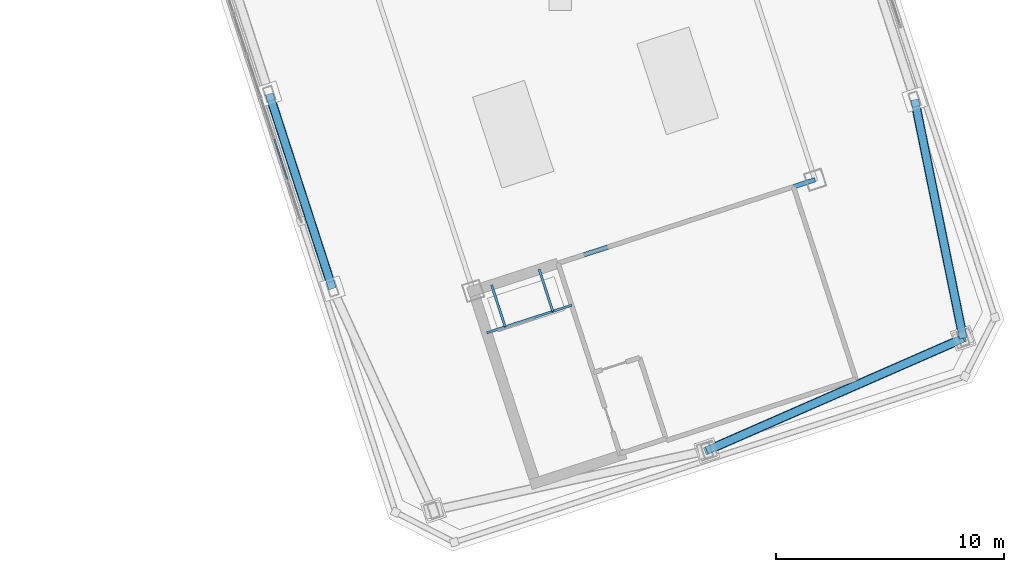
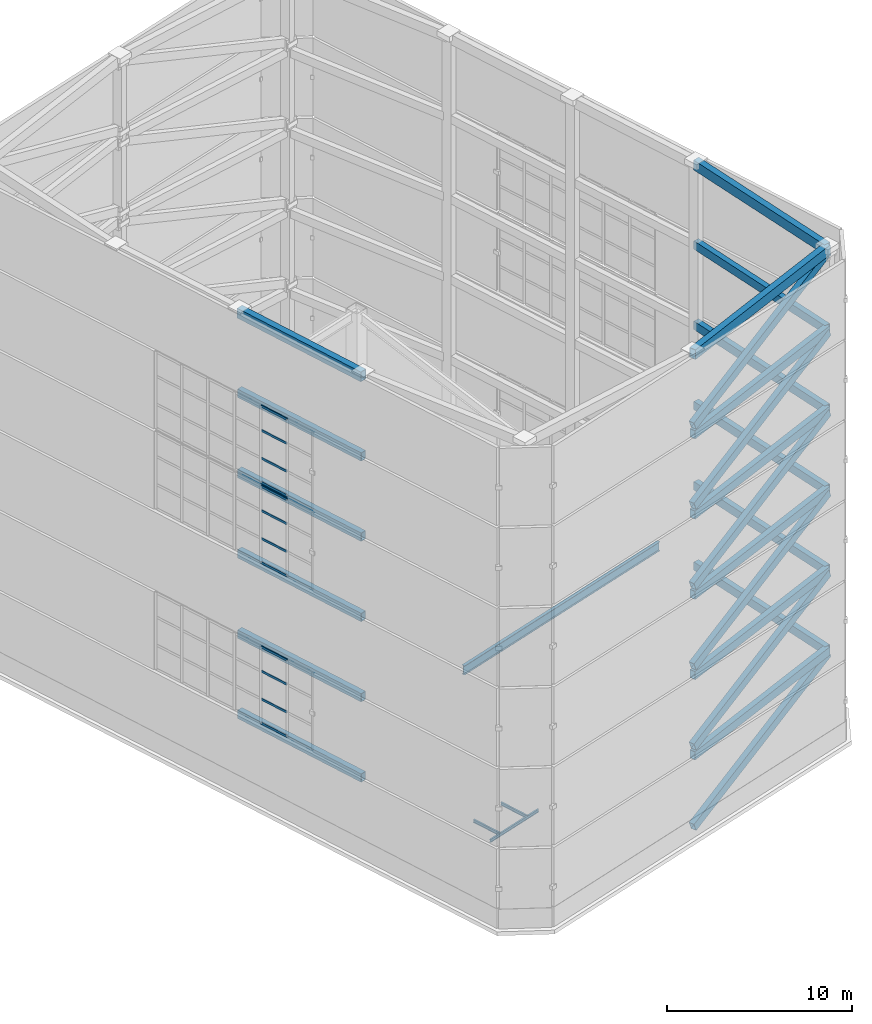
# One storey, part 18 of 56: 22 beams, 18 members, 3 elements without a shape of their own.
"""IFC4 building model written with IfcOpenShell, lengths in metres."""

import ifcopenshell
import ifcopenshell.guid

model = None  # the IFC model being written
_history = None  # IfcOwnerHistory: only IFC2X3 demands one
_inside = {}  # id of a spatial element -> (the spatial element, [elements in it])
_under = {}  # id of a project, library or spatial element -> (it, [spatial elements below it])
_declared = {}  # id of a project -> (the project, [libraries it declares])
_typed = {}  # id of a type object -> (the type object, [elements of that type])
_made_of = {}  # id of a material, layer set ... -> (it, [elements and type objects made of it])


def new_model(schema):
    """Start an empty IFC model of exactly this schema.

    Asked for "IFC4X3", IfcOpenShell would pick the latest addendum, in which some entities
    have other attributes; the version numbers below select the first issue.
    IFC2X3 requires an IfcOwnerHistory on every rooted entity: one is made here for all.
    """
    global model, _history
    if schema == "IFC4X3":
        model = ifcopenshell.file(schema_version=(4, 3, 0, 0))
    else:
        model = ifcopenshell.file(schema=schema)
    _inside.clear()
    _under.clear()
    _declared.clear()
    _typed.clear()
    _made_of.clear()
    _history = None
    if model.schema == "IFC2X3":
        org = make("IfcOrganization", Name="unknown")
        user = make(
            "IfcPersonAndOrganization",
            ThePerson=make("IfcPerson", FamilyName="unknown"),
            TheOrganization=org,
        )
        app = make(
            "IfcApplication",
            ApplicationDeveloper=org,
            Version="unknown",
            ApplicationFullName="unknown",
            ApplicationIdentifier="unknown",
        )
        _history = make(
            "IfcOwnerHistory",
            OwningUser=user,
            OwningApplication=app,
            ChangeAction="ADDED",
            CreationDate=0,
        )
    return model


def make(cls, **values):
    """One entity of the class cls with the attributes given. An attribute that is None is left unset."""
    return model.create_entity(
        cls, **{name: value for name, value in values.items() if value is not None}
    )


def rooted(cls, **values):
    """An entity with a GlobalId (a new one), such as an element, a storey or a relation."""
    return make(cls, GlobalId=ifcopenshell.guid.new(), OwnerHistory=_history, **values)


def si_unit(unit_type, name, prefix=None):
    """IfcSIUnit, for example si_unit("LENGTHUNIT", "METRE", prefix="MILLI")."""
    return make("IfcSIUnit", UnitType=unit_type, Prefix=prefix, Name=name)


def assignment(units):
    """IfcUnitAssignment: the units of a project."""
    return None if units is None else make("IfcUnitAssignment", Units=units)


def point(xyz):
    """IfcCartesianPoint."""
    return None if xyz is None else make("IfcCartesianPoint", Coordinates=xyz)


def direction(xyz):
    """IfcDirection."""
    return None if xyz is None else make("IfcDirection", DirectionRatios=xyz)


def frame(location, z_axis=None, x_axis=None):
    """IfcAxis2Placement3D, a coordinate frame: its origin and axes. An axis left out is left unset."""
    return make(
        "IfcAxis2Placement3D",
        Location=point(location),
        Axis=direction(z_axis),
        RefDirection=direction(x_axis),
    )


def frame_2d(location, x_axis=None):
    """IfcAxis2Placement2D, a coordinate frame in the plane: its origin and x axis."""
    return make(
        "IfcAxis2Placement2D", Location=point(location), RefDirection=direction(x_axis)
    )


def origin():
    """The frame at (0, 0, 0) with its axes left unset."""
    return frame((0.0, 0.0, 0.0))


def origin_2d():
    """The frame at (0, 0) in the plane with its x axis left unset."""
    return frame_2d((0.0, 0.0))


def place(relative_to, where):
    """IfcLocalPlacement: puts the frame where relative to a parent placement (None: the world)."""
    return make(
        "IfcLocalPlacement", PlacementRelTo=relative_to, RelativePlacement=where
    )


def context(
    kind, dimensions, precision=None, world=None, true_north=None, identifier=None
):
    """IfcGeometricRepresentationContext, for example the 3D "Model" context."""
    return make(
        "IfcGeometricRepresentationContext",
        ContextIdentifier=identifier,
        ContextType=kind,
        CoordinateSpaceDimension=dimensions,
        Precision=precision,
        WorldCoordinateSystem=world,
        TrueNorth=true_north,
    )


def subcontext(parent, identifier, kind, view, scale=None):
    """IfcGeometricRepresentationSubContext, for example "Body" below "Model"."""
    return make(
        "IfcGeometricRepresentationSubContext",
        ContextIdentifier=identifier,
        ContextType=kind,
        ParentContext=parent,
        TargetScale=scale,
        TargetView=view,
    )


def project(units=None, contexts=None):
    """IfcProject with its units and contexts."""
    return rooted(
        "IfcProject",
        Name="project",
        RepresentationContexts=contexts,
        UnitsInContext=assignment(units),
    )


def spatial(cls, under=None, at=None, **own):
    """A site, building, storey or space (cls), placed at a placement, below another one or the project."""
    s = rooted(cls, ObjectPlacement=at, **own)
    if under is not None:
        _under.setdefault(under.id(), (under, []))[1].append(s)
    return s


def profile(cls, at=None, kind="AREA", **sizes):
    """A parametric profile (cls). Its sizes go by their IFC names, for example OverallWidth=200.0."""
    return make(cls, ProfileType=kind, Position=at, **sizes)


def hollow_rectangle(**sizes):
    """IfcRectangleHollowProfileDef."""
    return profile("IfcRectangleHollowProfileDef", **sizes)


def i_section(**sizes):
    """IfcIShapeProfileDef."""
    return profile("IfcIShapeProfileDef", **sizes)


def extrude(swept, where, along, depth):
    """IfcExtrudedAreaSolid: the profile swept, set in the frame where, extruded along a direction by depth."""
    return make(
        "IfcExtrudedAreaSolid",
        SweptArea=swept,
        Position=where,
        ExtrudedDirection=direction(along),
        Depth=depth,
    )


def shape(context_of_items, identifier, shape_type, items):
    """IfcShapeRepresentation: the items that make up one representation, for example the "Body"."""
    return make(
        "IfcShapeRepresentation",
        ContextOfItems=context_of_items,
        RepresentationIdentifier=identifier,
        RepresentationType=shape_type,
        Items=items,
    )


def material(Name=None, Category=None):
    """IfcMaterial."""
    return make("IfcMaterial", Name=Name, Category=Category)


def layer(
    of_material, thickness, ventilated=None, Name=None, Category=None, Priority=None
):
    """IfcMaterialLayer: one layer of a wall or slab, of a material (None: an air gap)."""
    return make(
        "IfcMaterialLayer",
        Material=of_material,
        LayerThickness=thickness,
        IsVentilated=ventilated,
        Name=Name,
        Category=Category,
        Priority=Priority,
    )


def layer_set(layers, Name=None):
    """IfcMaterialLayerSet."""
    return make("IfcMaterialLayerSet", MaterialLayers=layers, LayerSetName=Name)


def material_profile(
    of_material, cross_section, Name=None, Category=None, Priority=None
):
    """IfcMaterialProfile: a cross section and its material."""
    return make(
        "IfcMaterialProfile",
        Name=Name,
        Material=of_material,
        Profile=cross_section,
        Priority=Priority,
        Category=Category,
    )


def profile_set(profiles, Name=None, composite=None):
    """IfcMaterialProfileSet."""
    return make(
        "IfcMaterialProfileSet",
        Name=Name,
        MaterialProfiles=profiles,
        CompositeProfile=composite,
    )


def made_of(thing, what):
    """Note that an element or type object is made of a material, layer set ...; save() writes the relation."""
    if what is not None:
        _made_of.setdefault(what.id(), (what, []))[1].append(thing)
    return thing


def type_object(cls, material=None, **own):
    """A type object (cls), such as IfcWallType, which elements share."""
    return made_of(rooted(cls, **own), material)


def element(
    cls,
    number,
    at=None,
    inside=None,
    cuts=None,
    type_object=None,
    material=None,
    context=None,
    identifier="Body",
    shape_type=None,
    held_by="IfcProductDefinitionShape",
    body=None,
    shapes=None,
    **own,
):
    """One element of the class cls, such as IfcWall. Its Tag is "e" and its number.

    at: its placement. inside: the storey or other place that contains it. cuts: it is an
    opening in that element (IfcRelVoidsElement). A single representation is given by context,
    identifier, shape_type and body (its items); several are given by shapes. held_by: the class
    of the entity that holds the representations. save() writes the other relations.
    """
    e = rooted(cls, Tag="e%d" % number, ObjectPlacement=at, **own)
    if body is not None:
        shapes = [shape(context, identifier, shape_type, body)]
    if shapes is not None:
        e.Representation = make(held_by, Representations=shapes)
    if inside is not None:
        _inside.setdefault(inside.id(), (inside, []))[1].append(e)
    if cuts is not None:
        rooted(
            "IfcRelVoidsElement", RelatingBuildingElement=cuts, RelatedOpeningElement=e
        )
    if type_object is not None:
        _typed.setdefault(type_object.id(), (type_object, []))[1].append(e)
    return made_of(e, material)


def aggregate(whole, parts):
    """IfcRelAggregates: a whole, such as a stair, and the parts it consists of."""
    return rooted("IfcRelAggregates", RelatingObject=whole, RelatedObjects=parts)


def save(model, path):
    """Write the relations noted so far, then the file.

    IfcRelAggregates (storeys below a building ...), IfcRelContainedInSpatialStructure (elements
    in a storey), IfcRelDefinesByType, IfcRelAssociatesMaterial and IfcRelDeclares: one each for
    every whole, place, type object, material and project.
    """
    for whole, parts in _under.values():
        aggregate(whole, parts)
    for where, things in _inside.values():
        rooted(
            "IfcRelContainedInSpatialStructure",
            RelatedElements=things,
            RelatingStructure=where,
        )
    for kind, things in _typed.values():
        rooted("IfcRelDefinesByType", RelatedObjects=things, RelatingType=kind)
    for what, things in _made_of.values():
        rooted("IfcRelAssociatesMaterial", RelatedObjects=things, RelatingMaterial=what)
    for by, libraries in _declared.values():
        rooted("IfcRelDeclares", RelatingContext=by, RelatedDefinitions=libraries)
    model.write(path)


model = new_model("IFC4")

# Units and contexts
model_context = context("Model", 3, precision=1e-05, world=origin(), true_north=direction((0.0, 1.0)))
body_context = subcontext(model_context, "Body", "Model", "MODEL_VIEW")
ifc_project = project(units=[si_unit("LENGTHUNIT", "METRE"), si_unit("AREAUNIT", "SQUARE_METRE"), si_unit("VOLUMEUNIT", "CUBIC_METRE"), si_unit("PLANEANGLEUNIT", "RADIAN"), si_unit("MASSUNIT", "GRAM", prefix="KILO")], contexts=[model_context])

# Site, building, storey
site_placement = place(None, origin())
site = spatial("IfcSite", under=ifc_project, at=site_placement, CompositionType="ELEMENT")
building_placement = place(site_placement, origin())
building = spatial("IfcBuilding", under=site, at=building_placement, Name="Qiaolan Cultural Towers", CompositionType="ELEMENT")
storey_placement = place(building_placement, frame((0.0, 0.0, 250.39990234375)))
storey = spatial("IfcBuildingStorey", under=building, at=storey_placement, Name="L68", CompositionType="ELEMENT", Elevation=250.39990234375)

# Beams
ifc_material_1 = material(Name="Steel Q355B", Category="steel")
ifc_material_profile_1 = material_profile(ifc_material_1, hollow_rectangle(XDim=0.39990234375, YDim=0.64990234375, WallThickness=0.02001953125, at=origin_2d()), Name="BOX650x400x20")
ifc_profile_set_1 = profile_set([ifc_material_profile_1], Name="Steel Q355B")
beam_type_1 = type_object("IfcBeamType", Name="BM-CROWN-FRAME-1", PredefinedType="BEAM", material=ifc_profile_set_1)
beam_1_placement = place(storey_placement, frame((96.443115234375, 14.17041015625, 31.47509765625), z_axis=(0.916042038824, 0.401082264762, 0.0), x_axis=(-0.401082264762, 0.916042038824, 0.0)))
element("IfcBeam", 1, at=beam_1_placement, inside=storey, type_object=beam_type_1, Name="T2 Crown Frame Top Cap Ring Beam T6-3", PredefinedType="BEAM", context=body_context, shape_type="SweptSolid", body=[
    extrude(hollow_rectangle(XDim=0.39990234375, YDim=0.64990234375, WallThickness=0.02001953125, at=origin_2d()), origin(), (0.0, 0.0, 1.0), 12.299560546875),
])
beam_2_placement = place(storey_placement, frame((107.7099609375, 19.103515625, 31.47509765625), z_axis=(-0.199578538116, 0.979881833245, 0.0), x_axis=(-0.979881833245, -0.199578538116, 0.0)))
element("IfcBeam", 2, at=beam_2_placement, inside=storey, type_object=beam_type_1, Name="T2 Crown Frame Top Cap Ring Beam T6-4", PredefinedType="BEAM", context=body_context, shape_type="SweptSolid", body=[
    extrude(hollow_rectangle(XDim=0.39990234375, YDim=0.64990234375, WallThickness=0.02001953125, at=origin_2d()), origin(), (0.0, 0.0, 1.0), 10.70849609375),
])
beam_3_placement = place(storey_placement, frame((77.208251953125, 29.84375, 31.47509765625), z_axis=(0.309024734286, -0.951054001411, 0.0), x_axis=(0.951054001411, 0.309024734286, 0.0)))
element("IfcBeam", 3, at=beam_3_placement, inside=storey, type_object=beam_type_1, Name="T2 Crown Frame Top Cap Ring Beam T6-12", PredefinedType="BEAM", context=body_context, shape_type="SweptSolid", body=[
    extrude(hollow_rectangle(XDim=0.39990234375, YDim=0.64990234375, WallThickness=0.02001953125, at=origin_2d()), origin(), (0.0, 0.0, 1.0), 9.0),
])
ifc_material_2 = material(Name="Steel Q355B", Category="steel")
ifc_material_profile_2 = material_profile(ifc_material_2, hollow_rectangle(XDim=0.35009765625, YDim=0.550048828125, WallThickness=0.01806640625, at=origin_2d()), Name="BOX550x350x18")
ifc_profile_set_2 = profile_set([ifc_material_profile_2], Name="Steel Q355B")
beam_type_2 = type_object("IfcBeamType", Name="BM-CROWN-FRAME-2", PredefinedType="BEAM", material=ifc_profile_set_2)
beam_4_placement = place(storey_placement, frame((96.443115234375, 14.17041015625, 4.97509765625), z_axis=(0.916042038824, 0.401082264762, 0.0), x_axis=(-0.401082264762, 0.916042038824, 0.0)))
element("IfcBeam", 4, at=beam_4_placement, inside=storey, type_object=beam_type_2, Name="T2 Crown Frame Ring Beam T1-3", PredefinedType="BEAM", context=body_context, shape_type="SweptSolid", body=[
    extrude(hollow_rectangle(XDim=0.35009765625, YDim=0.550048828125, WallThickness=0.01806640625, at=origin_2d()), origin(), (0.0, 0.0, 1.0), 12.299560546875),
])
beam_5_placement = place(storey_placement, frame((107.7099609375, 19.103515625, 4.97509765625), z_axis=(-0.199578538116, 0.979881833245, 0.0), x_axis=(-0.979881833245, -0.199578538116, 0.0)))
element("IfcBeam", 5, at=beam_5_placement, inside=storey, type_object=beam_type_2, Name="T2 Crown Frame Ring Beam T1-4", PredefinedType="BEAM", context=body_context, shape_type="SweptSolid", body=[
    extrude(hollow_rectangle(XDim=0.35009765625, YDim=0.550048828125, WallThickness=0.01806640625, at=origin_2d()), origin(), (0.0, 0.0, 1.0), 10.70849609375),
])
beam_6_placement = place(storey_placement, frame((77.208251953125, 29.84375, 4.97509765625), z_axis=(0.309024734286, -0.951054001411, 0.0), x_axis=(0.951054001411, 0.309024734286, 0.0)))
element("IfcBeam", 6, at=beam_6_placement, inside=storey, type_object=beam_type_2, Name="T2 Crown Frame Ring Beam T1-12", PredefinedType="BEAM", context=body_context, shape_type="SweptSolid", body=[
    extrude(hollow_rectangle(XDim=0.35009765625, YDim=0.550048828125, WallThickness=0.01806640625, at=origin_2d()), origin(), (0.0, 0.0, 1.0), 9.0),
])
beam_7_placement = place(storey_placement, frame((96.443115234375, 14.17041015625, 10.275146484375), z_axis=(0.916042038824, 0.401082264762, 0.0), x_axis=(-0.401082264762, 0.916042038824, 0.0)))
element("IfcBeam", 7, at=beam_7_placement, inside=storey, type_object=beam_type_2, Name="T2 Crown Frame Ring Beam T2-3", PredefinedType="BEAM", context=body_context, shape_type="SweptSolid", body=[
    extrude(hollow_rectangle(XDim=0.35009765625, YDim=0.550048828125, WallThickness=0.01806640625, at=origin_2d()), origin(), (0.0, 0.0, 1.0), 12.299560546875),
])
beam_8_placement = place(storey_placement, frame((107.7099609375, 19.103515625, 10.275146484375), z_axis=(-0.199578538116, 0.979881833245, 0.0), x_axis=(-0.979881833245, -0.199578538116, 0.0)))
element("IfcBeam", 8, at=beam_8_placement, inside=storey, type_object=beam_type_2, Name="T2 Crown Frame Ring Beam T2-4", PredefinedType="BEAM", context=body_context, shape_type="SweptSolid", body=[
    extrude(hollow_rectangle(XDim=0.35009765625, YDim=0.550048828125, WallThickness=0.01806640625, at=origin_2d()), origin(), (0.0, 0.0, 1.0), 10.70849609375),
])
beam_9_placement = place(storey_placement, frame((77.208251953125, 29.84375, 10.275146484375), z_axis=(0.309024734286, -0.951054001411, 0.0), x_axis=(0.951054001411, 0.309024734286, 0.0)))
element("IfcBeam", 9, at=beam_9_placement, inside=storey, type_object=beam_type_2, Name="T2 Crown Frame Ring Beam T2-12", PredefinedType="BEAM", context=body_context, shape_type="SweptSolid", body=[
    extrude(hollow_rectangle(XDim=0.35009765625, YDim=0.550048828125, WallThickness=0.01806640625, at=origin_2d()), origin(), (0.0, 0.0, 1.0), 9.0),
])
beam_10_placement = place(storey_placement, frame((96.443115234375, 14.17041015625, 15.5751953125), z_axis=(0.916042038824, 0.401082264762, 0.0), x_axis=(-0.401082264762, 0.916042038824, 0.0)))
element("IfcBeam", 10, at=beam_10_placement, inside=storey, type_object=beam_type_2, Name="T2 Crown Frame Ring Beam T3-3", PredefinedType="BEAM", context=body_context, shape_type="SweptSolid", body=[
    extrude(hollow_rectangle(XDim=0.35009765625, YDim=0.550048828125, WallThickness=0.01806640625, at=origin_2d()), origin(), (0.0, 0.0, 1.0), 12.299560546875),
])
beam_11_placement = place(storey_placement, frame((107.7099609375, 19.103515625, 15.5751953125), z_axis=(-0.199578538116, 0.979881833245, 0.0), x_axis=(-0.979881833245, -0.199578538116, 0.0)))
element("IfcBeam", 11, at=beam_11_placement, inside=storey, type_object=beam_type_2, Name="T2 Crown Frame Ring Beam T3-4", PredefinedType="BEAM", context=body_context, shape_type="SweptSolid", body=[
    extrude(hollow_rectangle(XDim=0.35009765625, YDim=0.550048828125, WallThickness=0.01806640625, at=origin_2d()), origin(), (0.0, 0.0, 1.0), 10.70849609375),
])
beam_12_placement = place(storey_placement, frame((77.208251953125, 29.84375, 15.5751953125), z_axis=(0.309024734286, -0.951054001411, 0.0), x_axis=(0.951054001411, 0.309024734286, 0.0)))
element("IfcBeam", 12, at=beam_12_placement, inside=storey, type_object=beam_type_2, Name="T2 Crown Frame Ring Beam T3-12", PredefinedType="BEAM", context=body_context, shape_type="SweptSolid", body=[
    extrude(hollow_rectangle(XDim=0.35009765625, YDim=0.550048828125, WallThickness=0.01806640625, at=origin_2d()), origin(), (0.0, 0.0, 1.0), 9.0),
])
beam_13_placement = place(storey_placement, frame((96.443115234375, 14.17041015625, 20.875), z_axis=(0.916042038824, 0.401082264762, 0.0), x_axis=(-0.401082264762, 0.916042038824, 0.0)))
element("IfcBeam", 13, at=beam_13_placement, inside=storey, type_object=beam_type_2, Name="T2 Crown Frame Ring Beam T4-3", PredefinedType="BEAM", context=body_context, shape_type="SweptSolid", body=[
    extrude(hollow_rectangle(XDim=0.35009765625, YDim=0.550048828125, WallThickness=0.01806640625, at=origin_2d()), origin(), (0.0, 0.0, 1.0), 12.299560546875),
])
beam_14_placement = place(storey_placement, frame((107.7099609375, 19.103515625, 20.875), z_axis=(-0.199578538116, 0.979881833245, 0.0), x_axis=(-0.979881833245, -0.199578538116, 0.0)))
element("IfcBeam", 14, at=beam_14_placement, inside=storey, type_object=beam_type_2, Name="T2 Crown Frame Ring Beam T4-4", PredefinedType="BEAM", context=body_context, shape_type="SweptSolid", body=[
    extrude(hollow_rectangle(XDim=0.35009765625, YDim=0.550048828125, WallThickness=0.01806640625, at=origin_2d()), origin(), (0.0, 0.0, 1.0), 10.70849609375),
])
beam_15_placement = place(storey_placement, frame((77.208251953125, 29.84375, 20.875), z_axis=(0.309024734286, -0.951054001411, 0.0), x_axis=(0.951054001411, 0.309024734286, 0.0)))
element("IfcBeam", 15, at=beam_15_placement, inside=storey, type_object=beam_type_2, Name="T2 Crown Frame Ring Beam T4-12", PredefinedType="BEAM", context=body_context, shape_type="SweptSolid", body=[
    extrude(hollow_rectangle(XDim=0.35009765625, YDim=0.550048828125, WallThickness=0.01806640625, at=origin_2d()), origin(), (0.0, 0.0, 1.0), 9.0),
])
beam_16_placement = place(storey_placement, frame((96.443115234375, 14.17041015625, 26.175048828125), z_axis=(0.916042038824, 0.401082264762, 0.0), x_axis=(-0.401082264762, 0.916042038824, 0.0)))
element("IfcBeam", 16, at=beam_16_placement, inside=storey, type_object=beam_type_2, Name="T2 Crown Frame Ring Beam T5-3", PredefinedType="BEAM", context=body_context, shape_type="SweptSolid", body=[
    extrude(hollow_rectangle(XDim=0.35009765625, YDim=0.550048828125, WallThickness=0.01806640625, at=origin_2d()), origin(), (0.0, 0.0, 1.0), 12.299560546875),
])
beam_17_placement = place(storey_placement, frame((107.7099609375, 19.103515625, 26.175048828125), z_axis=(-0.199578538116, 0.979881833245, 0.0), x_axis=(-0.979881833245, -0.199578538116, 0.0)))
element("IfcBeam", 17, at=beam_17_placement, inside=storey, type_object=beam_type_2, Name="T2 Crown Frame Ring Beam T5-4", PredefinedType="BEAM", context=body_context, shape_type="SweptSolid", body=[
    extrude(hollow_rectangle(XDim=0.35009765625, YDim=0.550048828125, WallThickness=0.01806640625, at=origin_2d()), origin(), (0.0, 0.0, 1.0), 10.70849609375),
])
beam_18_placement = place(storey_placement, frame((77.208251953125, 29.84375, 26.175048828125), z_axis=(0.309024734286, -0.951054001411, 0.0), x_axis=(0.951054001411, 0.309024734286, 0.0)))
element("IfcBeam", 18, at=beam_18_placement, inside=storey, type_object=beam_type_2, Name="T2 Crown Frame Ring Beam T5-12", PredefinedType="BEAM", context=body_context, shape_type="SweptSolid", body=[
    extrude(hollow_rectangle(XDim=0.35009765625, YDim=0.550048828125, WallThickness=0.01806640625, at=origin_2d()), origin(), (0.0, 0.0, 1.0), 9.0),
])
ifc_material_3 = material(Name="Steel Q355B", Category="steel")
ifc_material_profile_3 = material_profile(ifc_material_3, i_section(OverallWidth=0.199951171875, OverallDepth=0.60009765625, WebThickness=0.010986328125, FlangeThickness=0.01708984375, at=origin_2d()), Name="HN600x200x11x17")
ifc_profile_set_3 = profile_set([ifc_material_profile_3], Name="Steel Q355B")
beam_type_3 = type_object("IfcBeamType", Name="BM-SPD-HN600x200x11x17", PredefinedType="SPANDREL", material=ifc_profile_set_3)
beam_19_placement = place(storey_placement, frame((86.171142578125, 21.18994140625, 9.920166015625), z_axis=(0.951058706893, 0.309010252327, 0.0), x_axis=(-0.309010252327, 0.951058706893, 0.0)))
element("IfcBeam", 19, at=beam_19_placement, inside=storey, type_object=beam_type_3, Name="T2 Sloped Plant Roof Edge Rafter 1", PredefinedType="SPANDREL", context=body_context, shape_type="SweptSolid", body=[
    extrude(i_section(OverallWidth=0.199951171875, OverallDepth=0.60009765625, WebThickness=0.010986328125, FlangeThickness=0.01708984375, at=origin_2d()), origin(), (0.0, 0.0, 1.0), 15.7998046875),
])
ifc_material_4 = material(Name="Steel Q355B", Category="steel")
ifc_material_profile_4 = material_profile(ifc_material_4, i_section(OverallWidth=0.10009765625, OverallDepth=0.199951171875, WebThickness=0.005615234375, FlangeThickness=0.008056640625, at=origin_2d()), Name="HN200x100x5.5x8")
ifc_profile_set_4 = profile_set([ifc_material_profile_4], Name="Steel Q355B")
beam_type_4 = type_object("IfcBeamType", Name="BM-STTRIM-200", PredefinedType="BEAM", material=ifc_profile_set_4)
beam_20_placement = place(storey_placement, frame((86.770751953125, 19.3447265625, -0.4599609375), z_axis=(0.951047798727, 0.309043823005, 0.0), x_axis=(-0.309043823005, 0.951047798727, 0.0)))
element("IfcBeam", 20, at=beam_20_placement, inside=storey, type_object=beam_type_4, Name="L68 ST-E1 Floor Landing Header Beam", PredefinedType="BEAM", context=body_context, shape_type="SweptSolid", body=[
    extrude(i_section(OverallWidth=0.10009765625, OverallDepth=0.199951171875, WebThickness=0.005615234375, FlangeThickness=0.008056640625, at=origin_2d()), origin(), (0.0, 0.0, 1.0), 3.919921875),
])
for number, where, z_axis, x_axis, name in (
    (21, (86.9794921875, 21.452392578125, -0.4599609375), (0.309083226701, -0.951034993558, 0.0), (0.951034993558, 0.309083226701, 0.0), "L68 ST-E1 Floor Landing Stringer 1"),
    (22, (89.07177734375, 22.13232421875, -0.4599609375), (0.309083226701, -0.951034993558, 0.0), (0.951034993558, 0.309083226701, 0.0), "L68 ST-E1 Floor Landing Stringer 2"),
):
    element("IfcBeam", number, at=place(storey_placement, frame(where, z_axis=z_axis, x_axis=x_axis)), inside=storey, type_object=beam_type_4, Name=name, PredefinedType="BEAM", context=body_context, shape_type="SweptSolid", body=[
        extrude(i_section(OverallWidth=0.10009765625, OverallDepth=0.199951171875, WebThickness=0.005615234375, FlangeThickness=0.008056640625, at=origin_2d()), origin(), (0.0, 0.0, 1.0), 1.93994140625),
    ])

# Curtain wall, members
ifc_material_5 = material(Name="Unitized Anodized Aluminium Curtain Wall System", Category="aluminium")
ifc_layer = layer(ifc_material_5, 0.199951171875)
ifc_layer_set = layer_set([ifc_layer], Name="Unitized Anodized Aluminium Curtain Wall System")
curtain_wall_type = type_object("IfcCurtainWallType", Name="CWS-06", PredefinedType="NOTDEFINED", material=ifc_layer_set)
curtain_wall_1_placement = place(storey_placement, origin())
curtain_wall_1 = element("IfcCurtainWall", 23, at=curtain_wall_1_placement, inside=storey, type_object=curtain_wall_type, Name="T2 Crown Tier 2 Fritted Screen Curtain Wall 7", PredefinedType="NOTDEFINED")
ifc_material_6 = material(Name="Extruded Aluminium 6063-T6", Category="aluminium")
ifc_material_profile_5 = material_profile(ifc_material_6, hollow_rectangle(XDim=0.06494140625, YDim=0.14990234375, WallThickness=0.00390625, at=origin_2d()), Name="CWT-150x65x4")
ifc_profile_set_5 = profile_set([ifc_material_profile_5], Name="Extruded Aluminium 6063-T6")
member_type_1 = type_object("IfcMemberType", Name="CWS-06-TRN", PredefinedType="USERDEFINED", material=ifc_profile_set_5)
member_1_placement = place(storey_placement, frame((77.432861328125, 27.8583984375, 5.4326171875), z_axis=(0.30899331187, -0.951064210882, 0.0), x_axis=(0.951064210882, 0.30899331187, 0.0)))
member_1 = element("IfcMember", 24, at=member_1_placement, type_object=member_type_1, Name="CW-6 transom 5.1", ObjectType="TRANSOM", PredefinedType="USERDEFINED", context=body_context, shape_type="SweptSolid", body=[
    extrude(hollow_rectangle(XDim=0.06494140625, YDim=0.14990234375, WallThickness=0.00390625, at=origin_2d()), origin(), (0.0, 0.0, 1.0), 1.844970703125),
])
member_2_placement = place(storey_placement, frame((77.432861328125, 27.8583984375, 7.030029296875), z_axis=(0.30899331187, -0.951064210882, 0.0), x_axis=(0.951064210882, 0.30899331187, 0.0)))
member_2 = element("IfcMember", 25, at=member_2_placement, type_object=member_type_1, Name="CW-6 transom 5.2", ObjectType="TRANSOM", PredefinedType="USERDEFINED", context=body_context, shape_type="SweptSolid", body=[
    extrude(hollow_rectangle(XDim=0.06494140625, YDim=0.14990234375, WallThickness=0.00390625, at=origin_2d()), origin(), (0.0, 0.0, 1.0), 1.844970703125),
])
member_3_placement = place(storey_placement, frame((77.432861328125, 27.8583984375, 8.8701171875), z_axis=(0.30899331187, -0.951064210882, 0.0), x_axis=(0.951064210882, 0.30899331187, 0.0)))
member_3 = element("IfcMember", 26, at=member_3_placement, type_object=member_type_1, Name="CW-6 transom 5.3", ObjectType="TRANSOM", PredefinedType="USERDEFINED", context=body_context, shape_type="SweptSolid", body=[
    extrude(hollow_rectangle(XDim=0.06494140625, YDim=0.14990234375, WallThickness=0.00390625, at=origin_2d()), origin(), (0.0, 0.0, 1.0), 1.844970703125),
])
member_4_placement = place(storey_placement, frame((77.432861328125, 27.8583984375, 10.467529296875), z_axis=(0.30899331187, -0.951064210882, 0.0), x_axis=(0.951064210882, 0.30899331187, 0.0)))
member_4 = element("IfcMember", 27, at=member_4_placement, type_object=member_type_1, Name="CW-6 transom 5.4", ObjectType="TRANSOM", PredefinedType="USERDEFINED", context=body_context, shape_type="SweptSolid", body=[
    extrude(hollow_rectangle(XDim=0.06494140625, YDim=0.14990234375, WallThickness=0.00390625, at=origin_2d()), origin(), (0.0, 0.0, 1.0), 1.844970703125),
])
aggregate(curtain_wall_1, [member_1, member_2, member_3, member_4])

curtain_wall_2_placement = place(storey_placement, origin())
curtain_wall_2 = element("IfcCurtainWall", 28, at=curtain_wall_2_placement, inside=storey, type_object=curtain_wall_type, Name="T2 Crown Tier 4 Fritted Screen Curtain Wall 7", PredefinedType="NOTDEFINED")
member_5_placement = place(storey_placement, frame((77.432861328125, 27.8583984375, 16.03271484375), z_axis=(0.30899331187, -0.951064210882, 0.0), x_axis=(0.951064210882, 0.30899331187, 0.0)))
member_5 = element("IfcMember", 29, at=member_5_placement, type_object=member_type_1, Name="CW-6 transom 5.1", ObjectType="TRANSOM", PredefinedType="USERDEFINED", context=body_context, shape_type="SweptSolid", body=[
    extrude(hollow_rectangle(XDim=0.06494140625, YDim=0.14990234375, WallThickness=0.00390625, at=origin_2d()), origin(), (0.0, 0.0, 1.0), 1.844970703125),
])
member_6_placement = place(storey_placement, frame((77.432861328125, 27.8583984375, 17.630126953125), z_axis=(0.30899331187, -0.951064210882, 0.0), x_axis=(0.951064210882, 0.30899331187, 0.0)))
member_6 = element("IfcMember", 30, at=member_6_placement, type_object=member_type_1, Name="CW-6 transom 5.2", ObjectType="TRANSOM", PredefinedType="USERDEFINED", context=body_context, shape_type="SweptSolid", body=[
    extrude(hollow_rectangle(XDim=0.06494140625, YDim=0.14990234375, WallThickness=0.00390625, at=origin_2d()), origin(), (0.0, 0.0, 1.0), 1.844970703125),
])
member_7_placement = place(storey_placement, frame((77.432861328125, 27.8583984375, 19.47021484375), z_axis=(0.30899331187, -0.951064210882, 0.0), x_axis=(0.951064210882, 0.30899331187, 0.0)))
member_7 = element("IfcMember", 31, at=member_7_placement, type_object=member_type_1, Name="CW-6 transom 5.3", ObjectType="TRANSOM", PredefinedType="USERDEFINED", context=body_context, shape_type="SweptSolid", body=[
    extrude(hollow_rectangle(XDim=0.06494140625, YDim=0.14990234375, WallThickness=0.00390625, at=origin_2d()), origin(), (0.0, 0.0, 1.0), 1.844970703125),
])
member_8_placement = place(storey_placement, frame((77.432861328125, 27.8583984375, 21.067626953125), z_axis=(0.30899331187, -0.951064210882, 0.0), x_axis=(0.951064210882, 0.30899331187, 0.0)))
member_8 = element("IfcMember", 32, at=member_8_placement, type_object=member_type_1, Name="CW-6 transom 5.4", ObjectType="TRANSOM", PredefinedType="USERDEFINED", context=body_context, shape_type="SweptSolid", body=[
    extrude(hollow_rectangle(XDim=0.06494140625, YDim=0.14990234375, WallThickness=0.00390625, at=origin_2d()), origin(), (0.0, 0.0, 1.0), 1.844970703125),
])
aggregate(curtain_wall_2, [member_5, member_6, member_7, member_8])

curtain_wall_3_placement = place(storey_placement, origin())
curtain_wall_3 = element("IfcCurtainWall", 33, at=curtain_wall_3_placement, inside=storey, type_object=curtain_wall_type, Name="T2 Crown Tier 5 Fritted Screen Curtain Wall 7", PredefinedType="NOTDEFINED")
member_9_placement = place(storey_placement, frame((77.432861328125, 27.8583984375, 21.33251953125), z_axis=(0.30899331187, -0.951064210882, 0.0), x_axis=(0.951064210882, 0.30899331187, 0.0)))
member_9 = element("IfcMember", 34, at=member_9_placement, type_object=member_type_1, Name="CW-6 transom 5.1", ObjectType="TRANSOM", PredefinedType="USERDEFINED", context=body_context, shape_type="SweptSolid", body=[
    extrude(hollow_rectangle(XDim=0.06494140625, YDim=0.14990234375, WallThickness=0.00390625, at=origin_2d()), origin(), (0.0, 0.0, 1.0), 1.844970703125),
])
member_10_placement = place(storey_placement, frame((77.432861328125, 27.8583984375, 22.93017578125), z_axis=(0.30899331187, -0.951064210882, 0.0), x_axis=(0.951064210882, 0.30899331187, 0.0)))
member_10 = element("IfcMember", 35, at=member_10_placement, type_object=member_type_1, Name="CW-6 transom 5.2", ObjectType="TRANSOM", PredefinedType="USERDEFINED", context=body_context, shape_type="SweptSolid", body=[
    extrude(hollow_rectangle(XDim=0.06494140625, YDim=0.14990234375, WallThickness=0.00390625, at=origin_2d()), origin(), (0.0, 0.0, 1.0), 1.844970703125),
])
member_11_placement = place(storey_placement, frame((77.432861328125, 27.8583984375, 24.77001953125), z_axis=(0.30899331187, -0.951064210882, 0.0), x_axis=(0.951064210882, 0.30899331187, 0.0)))
member_11 = element("IfcMember", 36, at=member_11_placement, type_object=member_type_1, Name="CW-6 transom 5.3", ObjectType="TRANSOM", PredefinedType="USERDEFINED", context=body_context, shape_type="SweptSolid", body=[
    extrude(hollow_rectangle(XDim=0.06494140625, YDim=0.14990234375, WallThickness=0.00390625, at=origin_2d()), origin(), (0.0, 0.0, 1.0), 1.844970703125),
])
member_12_placement = place(storey_placement, frame((77.432861328125, 27.8583984375, 26.36767578125), z_axis=(0.30899331187, -0.951064210882, 0.0), x_axis=(0.951064210882, 0.30899331187, 0.0)))
member_12 = element("IfcMember", 37, at=member_12_placement, type_object=member_type_1, Name="CW-6 transom 5.4", ObjectType="TRANSOM", PredefinedType="USERDEFINED", context=body_context, shape_type="SweptSolid", body=[
    extrude(hollow_rectangle(XDim=0.06494140625, YDim=0.14990234375, WallThickness=0.00390625, at=origin_2d()), origin(), (0.0, 0.0, 1.0), 1.844970703125),
])
aggregate(curtain_wall_3, [member_9, member_10, member_11, member_12])

# Members
ifc_material_7 = material(Name="Steel Q355B", Category="steel")
ifc_material_profile_6 = material_profile(ifc_material_7, hollow_rectangle(XDim=0.35009765625, YDim=0.550048828125, WallThickness=0.01806640625, at=origin_2d()), Name="BOX550x350x18")
ifc_profile_set_6 = profile_set([ifc_material_profile_6], Name="Steel Q355B")
member_type_2 = type_object("IfcMemberType", Name="MBR-CROWN-FRAME-12", PredefinedType="USERDEFINED", material=ifc_profile_set_6)
for number, where, z_axis, x_axis, name in (
    (38, (96.443115234375, 14.17041015625, 0.25), (0.858565580558, 0.375916620528, 0.348642852059), (-0.401082264762, 0.916042038824, 0.0), "T2 Crown Frame Wind Brace T1-3"),
    (39, (96.443115234375, 14.17041015625, 5.550048828125), (0.858571149312, 0.375919058766, 0.348626509068), (-0.401082264762, 0.916042038824, 0.0), "T2 Crown Frame Wind Brace T2-3"),
    (40, (96.443115234375, 14.17041015625, 10.85009765625), (0.858571149312, 0.375919058766, 0.348626509068), (-0.401082264762, 0.916042038824, 0.0), "T2 Crown Frame Wind Brace T3-3"),
    (41, (96.443115234375, 14.17041015625, 16.150146484375), (0.858571149312, 0.375919058766, 0.348626509068), (-0.401082264762, 0.916042038824, 0.0), "T2 Crown Frame Wind Brace T4-3"),
    (42, (96.443115234375, 14.17041015625, 21.4501953125), (0.858571149312, 0.375919058766, 0.348626509068), (-0.401082264762, 0.916042038824, 0.0), "T2 Crown Frame Wind Brace T5-3"),
    (43, (96.443115234375, 14.17041015625, 26.75), (0.858565580558, 0.375916620528, 0.348642852059), (-0.401082264762, 0.916042038824, 0.0), "T2 Crown Frame Wind Brace T6-3"),
):
    element("IfcMember", number, at=place(storey_placement, frame(where, z_axis=z_axis, x_axis=x_axis)), inside=storey, type_object=member_type_2, Name=name, ObjectType="CROWN FRAME", PredefinedType="USERDEFINED", context=body_context, shape_type="SweptSolid", body=[
        extrude(hollow_rectangle(XDim=0.35009765625, YDim=0.550048828125, WallThickness=0.01806640625, at=origin_2d()), origin(), (0.0, 0.0, 1.0), 13.122802734375),
    ])

save(model, "model.ifc")
